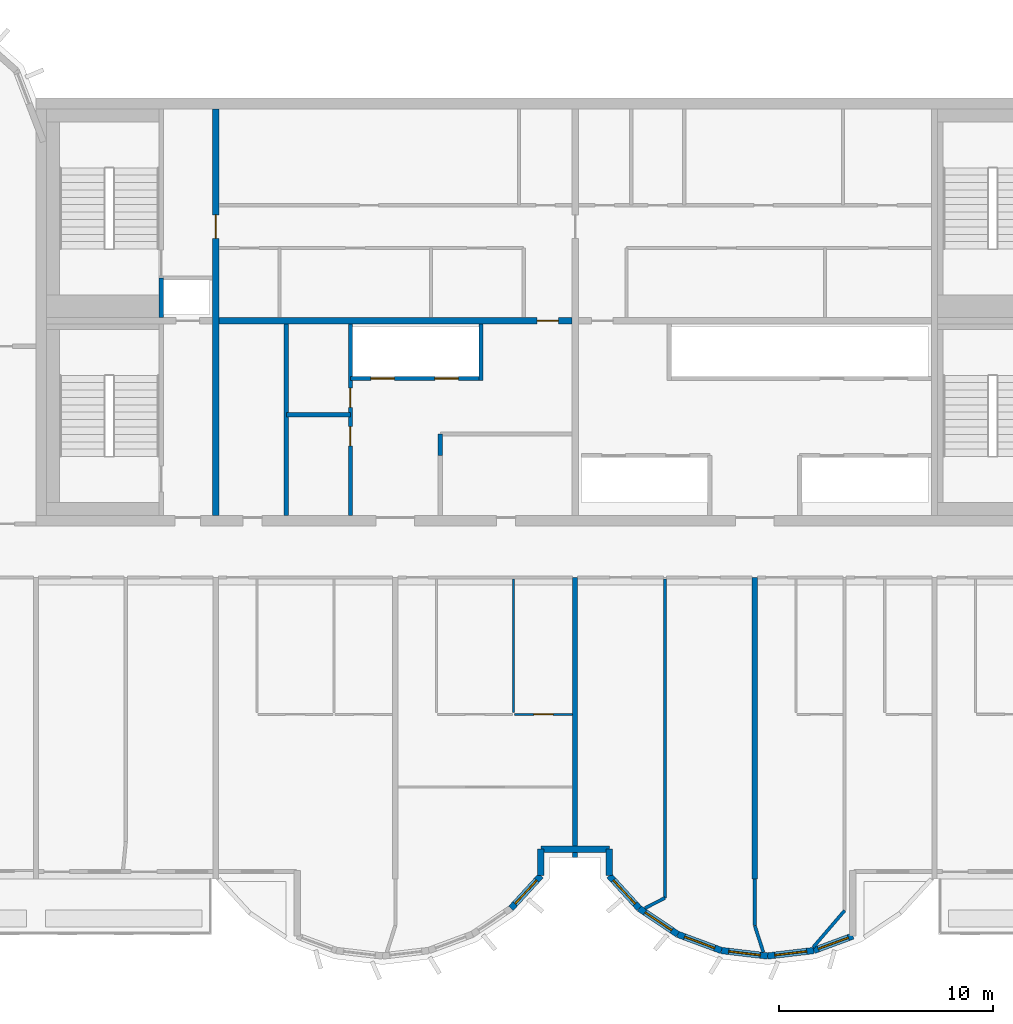
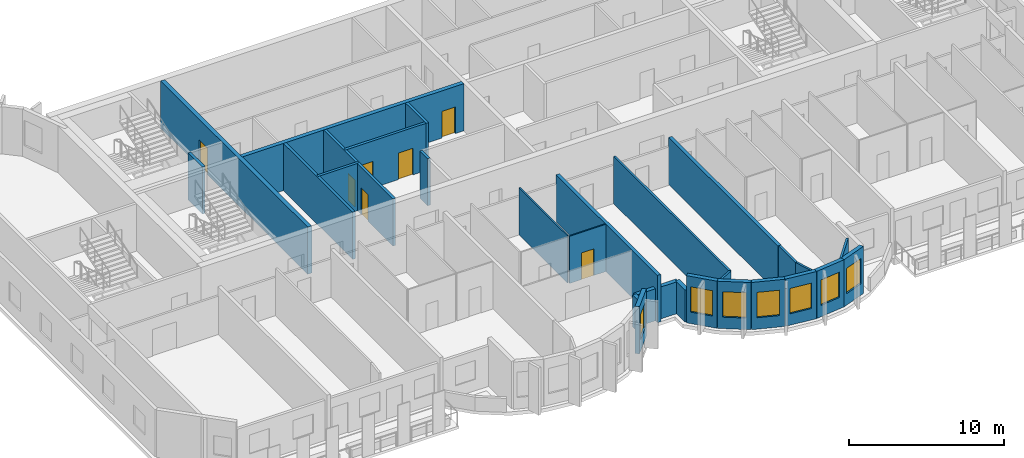
# One storey, part 4 of 12: 28 walls, 7 doors, 7 windows, 14 openings.
"""IFC4 building model written with IfcOpenShell, lengths in metres."""

import ifcopenshell
import ifcopenshell.guid

model = None  # the IFC model being written
_history = None  # IfcOwnerHistory: only IFC2X3 demands one
_inside = {}  # id of a spatial element -> (the spatial element, [elements in it])
_under = {}  # id of a project, library or spatial element -> (it, [spatial elements below it])
_declared = {}  # id of a project -> (the project, [libraries it declares])
_typed = {}  # id of a type object -> (the type object, [elements of that type])
_made_of = {}  # id of a material, layer set ... -> (it, [elements and type objects made of it])


def new_model(schema):
    """Start an empty IFC model of exactly this schema.

    Asked for "IFC4X3", IfcOpenShell would pick the latest addendum, in which some entities
    have other attributes; the version numbers below select the first issue.
    IFC2X3 requires an IfcOwnerHistory on every rooted entity: one is made here for all.
    """
    global model, _history
    if schema == "IFC4X3":
        model = ifcopenshell.file(schema_version=(4, 3, 0, 0))
    else:
        model = ifcopenshell.file(schema=schema)
    _inside.clear()
    _under.clear()
    _declared.clear()
    _typed.clear()
    _made_of.clear()
    _history = None
    if model.schema == "IFC2X3":
        org = make("IfcOrganization", Name="unknown")
        user = make(
            "IfcPersonAndOrganization",
            ThePerson=make("IfcPerson", FamilyName="unknown"),
            TheOrganization=org,
        )
        app = make(
            "IfcApplication",
            ApplicationDeveloper=org,
            Version="unknown",
            ApplicationFullName="unknown",
            ApplicationIdentifier="unknown",
        )
        _history = make(
            "IfcOwnerHistory",
            OwningUser=user,
            OwningApplication=app,
            ChangeAction="ADDED",
            CreationDate=0,
        )
    return model


def make(cls, **values):
    """One entity of the class cls with the attributes given. An attribute that is None is left unset."""
    return model.create_entity(
        cls, **{name: value for name, value in values.items() if value is not None}
    )


def rooted(cls, **values):
    """An entity with a GlobalId (a new one), such as an element, a storey or a relation."""
    return make(cls, GlobalId=ifcopenshell.guid.new(), OwnerHistory=_history, **values)


def si_unit(unit_type, name, prefix=None):
    """IfcSIUnit, for example si_unit("LENGTHUNIT", "METRE", prefix="MILLI")."""
    return make("IfcSIUnit", UnitType=unit_type, Prefix=prefix, Name=name)


def assignment(units):
    """IfcUnitAssignment: the units of a project."""
    return None if units is None else make("IfcUnitAssignment", Units=units)


def point(xyz):
    """IfcCartesianPoint."""
    return None if xyz is None else make("IfcCartesianPoint", Coordinates=xyz)


def direction(xyz):
    """IfcDirection."""
    return None if xyz is None else make("IfcDirection", DirectionRatios=xyz)


def frame(location, z_axis=None, x_axis=None):
    """IfcAxis2Placement3D, a coordinate frame: its origin and axes. An axis left out is left unset."""
    return make(
        "IfcAxis2Placement3D",
        Location=point(location),
        Axis=direction(z_axis),
        RefDirection=direction(x_axis),
    )


def frame_2d(location, x_axis=None):
    """IfcAxis2Placement2D, a coordinate frame in the plane: its origin and x axis."""
    return make(
        "IfcAxis2Placement2D", Location=point(location), RefDirection=direction(x_axis)
    )


def origin():
    """The frame at (0, 0, 0) with its axes left unset."""
    return frame((0.0, 0.0, 0.0))


def place(relative_to, where):
    """IfcLocalPlacement: puts the frame where relative to a parent placement (None: the world)."""
    return make(
        "IfcLocalPlacement", PlacementRelTo=relative_to, RelativePlacement=where
    )


def context(
    kind, dimensions, precision=None, world=None, true_north=None, identifier=None
):
    """IfcGeometricRepresentationContext, for example the 3D "Model" context."""
    return make(
        "IfcGeometricRepresentationContext",
        ContextIdentifier=identifier,
        ContextType=kind,
        CoordinateSpaceDimension=dimensions,
        Precision=precision,
        WorldCoordinateSystem=world,
        TrueNorth=true_north,
    )


def subcontext(parent, identifier, kind, view, scale=None):
    """IfcGeometricRepresentationSubContext, for example "Body" below "Model"."""
    return make(
        "IfcGeometricRepresentationSubContext",
        ContextIdentifier=identifier,
        ContextType=kind,
        ParentContext=parent,
        TargetScale=scale,
        TargetView=view,
    )


def project(units=None, contexts=None):
    """IfcProject with its units and contexts."""
    return rooted(
        "IfcProject",
        Name="project",
        RepresentationContexts=contexts,
        UnitsInContext=assignment(units),
    )


def spatial(cls, under=None, at=None, **own):
    """A site, building, storey or space (cls), placed at a placement, below another one or the project."""
    s = rooted(cls, ObjectPlacement=at, **own)
    if under is not None:
        _under.setdefault(under.id(), (under, []))[1].append(s)
    return s


def profile(cls, at=None, kind="AREA", **sizes):
    """A parametric profile (cls). Its sizes go by their IFC names, for example OverallWidth=200.0."""
    return make(cls, ProfileType=kind, Position=at, **sizes)


def rectangle(**sizes):
    """IfcRectangleProfileDef."""
    return profile("IfcRectangleProfileDef", **sizes)


def extrude(swept, where, along, depth):
    """IfcExtrudedAreaSolid: the profile swept, set in the frame where, extruded along a direction by depth."""
    return make(
        "IfcExtrudedAreaSolid",
        SweptArea=swept,
        Position=where,
        ExtrudedDirection=direction(along),
        Depth=depth,
    )


def shape(context_of_items, identifier, shape_type, items):
    """IfcShapeRepresentation: the items that make up one representation, for example the "Body"."""
    return make(
        "IfcShapeRepresentation",
        ContextOfItems=context_of_items,
        RepresentationIdentifier=identifier,
        RepresentationType=shape_type,
        Items=items,
    )


def source(mapping_origin, context_of_items, identifier, shape_type, items):
    """IfcRepresentationMap: a shape defined once, which mapped items show again and again."""
    return make(
        "IfcRepresentationMap",
        MappingOrigin=mapping_origin,
        MappedRepresentation=shape(context_of_items, identifier, shape_type, items),
    )


def transform(
    local_origin,
    x_axis=None,
    y_axis=None,
    z_axis=None,
    scale=None,
    scale2=None,
    scale3=None,
    uniform=True,
):
    """IfcCartesianTransformationOperator3D, or its non-uniform kind. x_axis, y_axis, z_axis: its Axis1, 2, 3."""
    if uniform:
        return make(
            "IfcCartesianTransformationOperator3D",
            Axis1=direction(x_axis),
            Axis2=direction(y_axis),
            LocalOrigin=point(local_origin),
            Scale=scale,
            Axis3=direction(z_axis),
        )
    return make(
        "IfcCartesianTransformationOperator3DnonUniform",
        Axis1=direction(x_axis),
        Axis2=direction(y_axis),
        LocalOrigin=point(local_origin),
        Scale=scale,
        Axis3=direction(z_axis),
        Scale2=scale2,
        Scale3=scale3,
    )


def mapped(mapping_source, mapping_target):
    """IfcMappedItem: shows the shape of a source again, moved by a transform."""
    return make(
        "IfcMappedItem", MappingSource=mapping_source, MappingTarget=mapping_target
    )


def material(Name=None, Category=None):
    """IfcMaterial."""
    return make("IfcMaterial", Name=Name, Category=Category)


def layer(
    of_material, thickness, ventilated=None, Name=None, Category=None, Priority=None
):
    """IfcMaterialLayer: one layer of a wall or slab, of a material (None: an air gap)."""
    return make(
        "IfcMaterialLayer",
        Material=of_material,
        LayerThickness=thickness,
        IsVentilated=ventilated,
        Name=Name,
        Category=Category,
        Priority=Priority,
    )


def layer_set(layers, Name=None):
    """IfcMaterialLayerSet."""
    return make("IfcMaterialLayerSet", MaterialLayers=layers, LayerSetName=Name)


def made_of(thing, what):
    """Note that an element or type object is made of a material, layer set ...; save() writes the relation."""
    if what is not None:
        _made_of.setdefault(what.id(), (what, []))[1].append(thing)
    return thing


def type_object(cls, material=None, **own):
    """A type object (cls), such as IfcWallType, which elements share."""
    return made_of(rooted(cls, **own), material)


def element(
    cls,
    number,
    at=None,
    inside=None,
    cuts=None,
    type_object=None,
    material=None,
    context=None,
    identifier="Body",
    shape_type=None,
    held_by="IfcProductDefinitionShape",
    body=None,
    shapes=None,
    **own,
):
    """One element of the class cls, such as IfcWall. Its Tag is "e" and its number.

    at: its placement. inside: the storey or other place that contains it. cuts: it is an
    opening in that element (IfcRelVoidsElement). A single representation is given by context,
    identifier, shape_type and body (its items); several are given by shapes. held_by: the class
    of the entity that holds the representations. save() writes the other relations.
    """
    e = rooted(cls, Tag="e%d" % number, ObjectPlacement=at, **own)
    if body is not None:
        shapes = [shape(context, identifier, shape_type, body)]
    if shapes is not None:
        e.Representation = make(held_by, Representations=shapes)
    if inside is not None:
        _inside.setdefault(inside.id(), (inside, []))[1].append(e)
    if cuts is not None:
        rooted(
            "IfcRelVoidsElement", RelatingBuildingElement=cuts, RelatedOpeningElement=e
        )
    if type_object is not None:
        _typed.setdefault(type_object.id(), (type_object, []))[1].append(e)
    return made_of(e, material)


def fill(opening, filler):
    """IfcRelFillsElement: the door or window that sits in an opening."""
    return rooted(
        "IfcRelFillsElement",
        RelatingOpeningElement=opening,
        RelatedBuildingElement=filler,
    )


def aggregate(whole, parts):
    """IfcRelAggregates: a whole, such as a stair, and the parts it consists of."""
    return rooted("IfcRelAggregates", RelatingObject=whole, RelatedObjects=parts)


def save(model, path):
    """Write the relations noted so far, then the file.

    IfcRelAggregates (storeys below a building ...), IfcRelContainedInSpatialStructure (elements
    in a storey), IfcRelDefinesByType, IfcRelAssociatesMaterial and IfcRelDeclares: one each for
    every whole, place, type object, material and project.
    """
    for whole, parts in _under.values():
        aggregate(whole, parts)
    for where, things in _inside.values():
        rooted(
            "IfcRelContainedInSpatialStructure",
            RelatedElements=things,
            RelatingStructure=where,
        )
    for kind, things in _typed.values():
        rooted("IfcRelDefinesByType", RelatedObjects=things, RelatingType=kind)
    for what, things in _made_of.values():
        rooted("IfcRelAssociatesMaterial", RelatedObjects=things, RelatingMaterial=what)
    for by, libraries in _declared.values():
        rooted("IfcRelDeclares", RelatingContext=by, RelatedDefinitions=libraries)
    model.write(path)


model = new_model("IFC4")

# Units and contexts
model_context = context("Model", 3, precision=1e-05, world=origin(), true_north=direction((0.0, 1.0)))
body_context = subcontext(model_context, "Body", "Model", "MODEL_VIEW")
ifc_project = project(units=[si_unit("LENGTHUNIT", "METRE"), si_unit("AREAUNIT", "SQUARE_METRE"), si_unit("VOLUMEUNIT", "CUBIC_METRE"), si_unit("PLANEANGLEUNIT", "RADIAN"), si_unit("MASSUNIT", "GRAM", prefix="KILO")], contexts=[model_context])

# Site, building, storey
site_placement = place(None, origin())
site = spatial("IfcSite", under=ifc_project, at=site_placement, CompositionType="ELEMENT")
building_placement = place(site_placement, origin())
building = spatial("IfcBuilding", under=site, at=building_placement, Name="Vanashikhar Sky Hotel", CompositionType="ELEMENT")
storey_placement = place(building_placement, frame((0.0, 0.0, 313.699951171875)))
storey = spatial("IfcBuildingStorey", under=building, at=storey_placement, Name="L75", CompositionType="ELEMENT", Elevation=313.699951171875)

# Wall, opening, door
ifc_material_1 = material(Name="Concrete M50", Category="concrete")
ifc_layer_1 = layer(ifc_material_1, 0.300048828125)
ifc_layer_set_1 = layer_set([ifc_layer_1], Name="RC core inner wall 300 Concrete M50")
wall_type_1 = type_object("IfcWallType", Name="RC core inner wall 300 Concrete M50", PredefinedType="SHEAR", material=ifc_layer_set_1)
shared_shape_1 = source(origin(), body_context, "Body", "SweptSolid", [
    extrude(rectangle(XDim=19.0, YDim=0.300048828125, at=frame_2d((9.5, 0.0))), origin(), (0.0, 0.0, 1.0), 3.719970703125),
])
wall_1_placement = place(storey_placement, frame((33.60009765625, 22.5, 0.0), z_axis=(0.0, 0.0, 1.0), x_axis=(0.0, 1.0, 0.0)))
wall_1 = element("IfcWall", 1, at=wall_1_placement, inside=storey, type_object=wall_type_1, Name="KW-L75-KX1", PredefinedType="SHEAR", context=body_context, shape_type="MappedRepresentation", body=[
    mapped(shared_shape_1, transform((0.0, 0.0, 0.0), scale=1.0)),
])
shared_shape_2 = source(origin(), body_context, "Body", "SweptSolid", [
    extrude(rectangle(XDim=1.10009765625, YDim=2.10009765625, at=frame_2d((0.550048828125, 1.050048828125))), frame((0.0, 0.16015625, 0.0), z_axis=(0.0, -1.0, 0.0), x_axis=(1.0, 0.0, 0.0)), (0.0, 0.0, 1.0), 0.320068359375),
])
opening_1_placement = place(wall_1_placement, frame((12.949951171875, 0.0, 0.0)))
opening_1 = element("IfcOpeningElement", 2, at=opening_1_placement, cuts=wall_1, Name="Opening DC-4-C", PredefinedType="OPENING", context=body_context, shape_type="MappedRepresentation", body=[
    mapped(shared_shape_2, transform((0.0, 0.0, 0.0), scale=1.0)),
])
ifc_material_2 = material(Name="Steel", Category="steel")
door_type_1 = type_object("IfcDoorType", Name="Service door 1100 FD60", OperationType="NOTDEFINED", PredefinedType="DOOR", material=ifc_material_2)
shared_shape_3 = source(origin(), body_context, "Body", "SweptSolid", [
    extrude(rectangle(XDim=1.10009765625, YDim=2.10009765625, at=frame_2d((0.550048828125, 1.050048828125))), frame((0.0, 0.02490234375, 0.0), z_axis=(0.0, -1.0, 0.0), x_axis=(1.0, 0.0, 0.0)), (0.0, 0.0, 1.0), 0.050048828125),
])
door_1_placement = place(opening_1_placement, origin())
door_1 = element("IfcDoor", 3, at=door_1_placement, inside=storey, type_object=door_type_1, Name="Service door 1100 FD60", OperationType="SINGLE_SWING_LEFT", OverallHeight=2.10009765625, OverallWidth=1.10009765625, PredefinedType="DOOR", context=body_context, shape_type="MappedRepresentation", body=[
    mapped(shared_shape_3, transform((0.0, 0.0, 0.0), scale=1.0)),
])
fill(opening_1, door_1)

shared_shape_4 = source(origin(), body_context, "Body", "SweptSolid", [
    extrude(rectangle(XDim=16.5, YDim=0.300048828125, at=frame_2d((8.25, 0.0))), origin(), (0.0, 0.0, 1.0), 3.719970703125),
])
wall_2_placement = place(storey_placement, frame((33.75, 31.60009765625, 0.0), z_axis=(0.0, 0.0, 1.0), x_axis=(1.0, 0.0, 0.0)))
wall_2 = element("IfcWall", 4, at=wall_2_placement, inside=storey, type_object=wall_type_1, Name="KW-L75-KY2", PredefinedType="SHEAR", context=body_context, shape_type="MappedRepresentation", body=[
    mapped(shared_shape_4, transform((0.0, 0.0, 0.0), scale=1.0)),
])
shared_shape_5 = source(origin(), body_context, "Body", "SweptSolid", [
    extrude(rectangle(XDim=1.0, YDim=2.10009765625, at=frame_2d((0.5, 1.050048828125))), frame((0.0, 0.16015625, 0.0), z_axis=(0.0, -1.0, 0.0), x_axis=(1.0, 0.0, 0.0)), (0.0, 0.0, 1.0), 0.320068359375),
])
opening_2_placement = place(wall_2_placement, frame((14.875, 0.0, 0.0)))
opening_2 = element("IfcOpeningElement", 5, at=opening_2_placement, cuts=wall_2, Name="Opening DC-4", PredefinedType="OPENING", context=body_context, shape_type="MappedRepresentation", body=[
    mapped(shared_shape_5, transform((0.0, 0.0, 0.0), scale=1.0)),
])
door_type_2 = type_object("IfcDoorType", Name="Service door 1000 FD60", OperationType="NOTDEFINED", PredefinedType="DOOR", material=ifc_material_2)
shared_shape_6 = source(origin(), body_context, "Body", "SweptSolid", [
    extrude(rectangle(XDim=1.0, YDim=2.10009765625, at=frame_2d((0.5, 1.050048828125))), frame((0.0, 0.02490234375, 0.0), z_axis=(0.0, -1.0, 0.0), x_axis=(1.0, 0.0, 0.0)), (0.0, 0.0, 1.0), 0.050048828125),
])
door_2_placement = place(opening_2_placement, origin())
door_2 = element("IfcDoor", 6, at=door_2_placement, inside=storey, type_object=door_type_2, Name="Service door 1000 FD60", OperationType="SINGLE_SWING_LEFT", OverallHeight=2.10009765625, OverallWidth=1.0, PredefinedType="DOOR", context=body_context, shape_type="MappedRepresentation", body=[
    mapped(shared_shape_6, transform((0.0, 0.0, 0.0), scale=1.0)),
])
fill(opening_2, door_2)

# Walls
ifc_layer_2 = layer(ifc_material_1, 0.25)
ifc_layer_set_2 = layer_set([ifc_layer_2], Name="RC shear wall 250 Concrete M50")
wall_type_2 = type_object("IfcWallType", Name="RC shear wall 250 Concrete M50", PredefinedType="SHEAR", material=ifc_layer_set_2)
shared_shape_7 = source(origin(), body_context, "Body", "SweptSolid", [
    extrude(rectangle(XDim=14.10009765625, YDim=0.25, at=frame_2d((7.050048828125, 0.0))), origin(), (0.0, 0.0, 1.0), 3.719970703125),
])
wall_3_placement = place(storey_placement, frame((58.800048828125, 5.5, 0.0), z_axis=(0.0, 0.0, 1.0), x_axis=(0.0, 1.0, 0.0)))
element("IfcWall", 7, at=wall_3_placement, inside=storey, type_object=wall_type_2, Name="CW-L75-XW08-1", PredefinedType="SHEAR", context=body_context, shape_type="MappedRepresentation", body=[
    mapped(shared_shape_7, transform((0.0, 0.0, 0.0), scale=1.0)),
])
shared_shape_8 = source(origin(), body_context, "Body", "SweptSolid", [
    extrude(rectangle(XDim=13.10009765625, YDim=0.25, at=frame_2d((6.550048828125, 0.0))), origin(), (0.0, 0.0, 1.0), 3.719970703125),
])
wall_4_placement = place(storey_placement, frame((50.39990234375, 6.5, 0.0), z_axis=(0.0, 0.0, 1.0), x_axis=(0.0, 1.0, 0.0)))
element("IfcWall", 8, at=wall_4_placement, inside=storey, type_object=wall_type_2, Name="CW-L75-XW07-1", PredefinedType="SHEAR", context=body_context, shape_type="MappedRepresentation", body=[
    mapped(shared_shape_8, transform((0.0, 0.0, 0.0), scale=1.0)),
])

# Wall, opening, window
ifc_layer_3 = layer(ifc_material_1, 0.300048828125)
ifc_layer_set_3 = layer_set([ifc_layer_3], Name="Lobe wall 300")
wall_type_3 = type_object("IfcWallType", Name="Lobe wall 300", PredefinedType="SOLIDWALL", material=ifc_layer_set_3)
shared_shape_9 = source(origin(), body_context, "Body", "SweptSolid", [
    extrude(rectangle(XDim=2.17578125, YDim=0.300048828125, at=frame_2d((1.087890625, 0.0))), origin(), (0.0, 0.0, 1.0), 3.719970703125),
])
wall_5_placement = place(storey_placement, frame((53.395751953125, 4.13134765625, 0.0), z_axis=(0.0, 0.0, 1.0), x_axis=(0.829590746428, -0.558371913192, 0.0)))
wall_5 = element("IfcWall", 9, at=wall_5_placement, inside=storey, type_object=wall_type_3, Name="Lobe wall", PredefinedType="SOLIDWALL", context=body_context, shape_type="MappedRepresentation", body=[
    mapped(shared_shape_9, transform((0.0, 0.0, 0.0), scale=1.0)),
])
shared_shape_10 = source(origin(), body_context, "Body", "SweptSolid", [
    extrude(rectangle(XDim=1.5, YDim=2.0, at=frame_2d((0.75, 1.0))), frame((0.0, 0.16015625, 0.0), z_axis=(0.0, -1.0, 0.0), x_axis=(1.0, 0.0, 0.0)), (0.0, 0.0, 1.0), 0.320068359375),
])
opening_3_placement = place(wall_5_placement, frame((0.337890625, 0.0, 0.89990234375)))
opening_3 = element("IfcOpeningElement", 10, at=opening_3_placement, cuts=wall_5, Name="Opening WN-2", PredefinedType="OPENING", context=body_context, shape_type="MappedRepresentation", body=[
    mapped(shared_shape_10, transform((0.0, 0.0, 0.0), scale=1.0)),
])
ifc_material_3 = material(Name="Glass", Category="glass")
window_type = type_object("IfcWindowType", Name="Lobe window 1500 x 2000", PartitioningType="SINGLE_PANEL", PredefinedType="WINDOW", material=ifc_material_3)
shared_shape_11 = source(origin(), body_context, "Body", "SweptSolid", [
    extrude(rectangle(XDim=1.5, YDim=2.0, at=frame_2d((0.75, 1.0))), frame((0.0, 0.030029296875, 0.0), z_axis=(0.0, -1.0, 0.0), x_axis=(1.0, 0.0, 0.0)), (0.0, 0.0, 1.0), 0.06005859375),
])
window_1_placement = place(opening_3_placement, origin())
window_1 = element("IfcWindow", 11, at=window_1_placement, inside=storey, type_object=window_type, Name="Window WN-2", OverallHeight=2.0, OverallWidth=1.5, PartitioningType="SINGLE_PANEL", PredefinedType="WINDOW", context=body_context, shape_type="MappedRepresentation", body=[
    mapped(shared_shape_11, transform((0.0, 0.0, 0.0), scale=1.0)),
])
fill(opening_3, window_1)

wall_6_placement = place(storey_placement, frame((55.20068359375, 2.91650390625, 0.0), z_axis=(0.0, 0.0, 1.0), x_axis=(0.93754555999, -0.347862505801, 0.0)))
wall_6 = element("IfcWall", 12, at=wall_6_placement, inside=storey, type_object=wall_type_3, Name="Lobe wall", PredefinedType="SOLIDWALL", context=body_context, shape_type="MappedRepresentation", body=[
    mapped(shared_shape_9, transform((0.0, 0.0, 0.0), scale=1.0)),
])
opening_4_placement = place(wall_6_placement, frame((0.337890625, 0.0, 0.89990234375)))
opening_4 = element("IfcOpeningElement", 13, at=opening_4_placement, cuts=wall_6, Name="Opening WN-2", PredefinedType="OPENING", context=body_context, shape_type="MappedRepresentation", body=[
    mapped(shared_shape_10, transform((0.0, 0.0, 0.0), scale=1.0)),
])
window_2_placement = place(opening_4_placement, origin())
window_2 = element("IfcWindow", 14, at=window_2_placement, inside=storey, type_object=window_type, Name="Window WN-2", OverallHeight=2.0, OverallWidth=1.5, PartitioningType="SINGLE_PANEL", PredefinedType="WINDOW", context=body_context, shape_type="MappedRepresentation", body=[
    mapped(shared_shape_11, transform((0.0, 0.0, 0.0), scale=1.0)),
])
fill(opening_4, window_2)

shared_shape_12 = source(origin(), body_context, "Body", "SweptSolid", [
    extrude(rectangle(XDim=2.174560546875, YDim=0.300048828125, at=frame_2d((1.08740234375, 0.0))), origin(), (0.0, 0.0, 1.0), 3.719970703125),
])
wall_7_placement = place(storey_placement, frame((57.240478515625, 2.15966796875, 0.0), z_axis=(0.0, 0.0, 1.0), x_axis=(0.993001132889, -0.118104826659, 0.0)))
wall_7 = element("IfcWall", 15, at=wall_7_placement, inside=storey, type_object=wall_type_3, Name="Lobe wall", PredefinedType="SOLIDWALL", context=body_context, shape_type="MappedRepresentation", body=[
    mapped(shared_shape_12, transform((0.0, 0.0, 0.0), scale=1.0)),
])
opening_5_placement = place(wall_7_placement, frame((0.33740234375, 0.0, 0.89990234375)))
opening_5 = element("IfcOpeningElement", 16, at=opening_5_placement, cuts=wall_7, Name="Opening WN-2", PredefinedType="OPENING", context=body_context, shape_type="MappedRepresentation", body=[
    mapped(shared_shape_10, transform((0.0, 0.0, 0.0), scale=1.0)),
])
window_3_placement = place(opening_5_placement, origin())
window_3 = element("IfcWindow", 17, at=window_3_placement, inside=storey, type_object=window_type, Name="Window WN-2", OverallHeight=2.0, OverallWidth=1.5, PartitioningType="SINGLE_PANEL", PredefinedType="WINDOW", context=body_context, shape_type="MappedRepresentation", body=[
    mapped(shared_shape_11, transform((0.0, 0.0, 0.0), scale=1.0)),
])
fill(opening_5, window_3)

shared_shape_13 = source(origin(), body_context, "Body", "SweptSolid", [
    extrude(rectangle(XDim=2.1748046875, YDim=0.300048828125, at=frame_2d((1.08740234375, 0.0))), origin(), (0.0, 0.0, 1.0), 3.719970703125),
])
wall_8_placement = place(storey_placement, frame((59.39990234375, 1.90283203125, 0.0), z_axis=(0.0, 0.0, 1.0), x_axis=(0.993002698611, 0.118091661648, 0.0)))
wall_8 = element("IfcWall", 18, at=wall_8_placement, inside=storey, type_object=wall_type_3, Name="Lobe wall", PredefinedType="SOLIDWALL", context=body_context, shape_type="MappedRepresentation", body=[
    mapped(shared_shape_13, transform((0.0, 0.0, 0.0), scale=1.0)),
])
opening_6_placement = place(wall_8_placement, frame((0.33740234375, 0.0, 0.89990234375)))
opening_6 = element("IfcOpeningElement", 19, at=opening_6_placement, cuts=wall_8, Name="Opening WN-2", PredefinedType="OPENING", context=body_context, shape_type="MappedRepresentation", body=[
    mapped(shared_shape_10, transform((0.0, 0.0, 0.0), scale=1.0)),
])
window_4_placement = place(opening_6_placement, origin())
window_4 = element("IfcWindow", 20, at=window_4_placement, inside=storey, type_object=window_type, Name="Window WN-2", OverallHeight=2.0, OverallWidth=1.5, PartitioningType="SINGLE_PANEL", PredefinedType="WINDOW", context=body_context, shape_type="MappedRepresentation", body=[
    mapped(shared_shape_11, transform((0.0, 0.0, 0.0), scale=1.0)),
])
fill(opening_6, window_4)

shared_shape_14 = source(origin(), body_context, "Body", "SweptSolid", [
    extrude(rectangle(XDim=2.066650390625, YDim=0.300048828125, at=frame_2d((1.033203125, 0.0))), origin(), (0.0, 0.0, 1.0), 3.719970703125),
])
wall_9_placement = place(storey_placement, frame((47.404296875, 4.13134765625, 0.0), z_axis=(0.0, 0.0, 1.0), x_axis=(0.675355439877, 0.737492393065, 0.0)))
wall_9 = element("IfcWall", 21, at=wall_9_placement, inside=storey, type_object=wall_type_3, Name="Lobe wall", PredefinedType="SOLIDWALL", context=body_context, shape_type="MappedRepresentation", body=[
    mapped(shared_shape_14, transform((0.0, 0.0, 0.0), scale=1.0)),
])
opening_7_placement = place(wall_9_placement, frame((0.283447265625, 0.0, 0.89990234375)))
opening_7 = element("IfcOpeningElement", 22, at=opening_7_placement, cuts=wall_9, Name="Opening WN-2", PredefinedType="OPENING", context=body_context, shape_type="MappedRepresentation", body=[
    mapped(shared_shape_10, transform((0.0, 0.0, 0.0), scale=1.0)),
])
window_5_placement = place(opening_7_placement, origin())
window_5 = element("IfcWindow", 23, at=window_5_placement, inside=storey, type_object=window_type, Name="Window WN-2", OverallHeight=2.0, OverallWidth=1.5, PartitioningType="SINGLE_PANEL", PredefinedType="WINDOW", context=body_context, shape_type="MappedRepresentation", body=[
    mapped(shared_shape_11, transform((0.0, 0.0, 0.0), scale=1.0)),
])
fill(opening_7, window_5)

wall_10_placement = place(storey_placement, frame((52.0, 5.655517578125, 0.0), z_axis=(0.0, 0.0, 1.0), x_axis=(0.675355439877, -0.737492393065, 0.0)))
wall_10 = element("IfcWall", 24, at=wall_10_placement, inside=storey, type_object=wall_type_3, Name="Lobe wall", PredefinedType="SOLIDWALL", context=body_context, shape_type="MappedRepresentation", body=[
    mapped(shared_shape_14, transform((0.0, 0.0, 0.0), scale=1.0)),
])
opening_8_placement = place(wall_10_placement, frame((0.283447265625, 0.0, 0.89990234375)))
opening_8 = element("IfcOpeningElement", 25, at=opening_8_placement, cuts=wall_10, Name="Opening WN-2", PredefinedType="OPENING", context=body_context, shape_type="MappedRepresentation", body=[
    mapped(shared_shape_10, transform((0.0, 0.0, 0.0), scale=1.0)),
])
window_6_placement = place(opening_8_placement, origin())
window_6 = element("IfcWindow", 26, at=window_6_placement, inside=storey, type_object=window_type, Name="Window WN-2", OverallHeight=2.0, OverallWidth=1.5, PartitioningType="SINGLE_PANEL", PredefinedType="WINDOW", context=body_context, shape_type="MappedRepresentation", body=[
    mapped(shared_shape_11, transform((0.0, 0.0, 0.0), scale=1.0)),
])
fill(opening_8, window_6)

shared_shape_15 = source(origin(), body_context, "Body", "SweptSolid", [
    extrude(rectangle(XDim=1.94482421875, YDim=0.300048828125, at=frame_2d((0.972412109375, 0.0))), origin(), (0.0, 0.0, 1.0), 3.719970703125),
])
wall_11_placement = place(storey_placement, frame((61.5595703125, 2.15966796875, 0.0), z_axis=(0.0, 0.0, 1.0), x_axis=(0.937556314853, 0.347833518337, 0.0)))
wall_11 = element("IfcWall", 27, at=wall_11_placement, inside=storey, type_object=wall_type_3, Name="Lobe wall", PredefinedType="SOLIDWALL", context=body_context, shape_type="MappedRepresentation", body=[
    mapped(shared_shape_15, transform((0.0, 0.0, 0.0), scale=1.0)),
])
opening_9_placement = place(wall_11_placement, frame((0.222412109375, 0.0, 0.89990234375)))
opening_9 = element("IfcOpeningElement", 28, at=opening_9_placement, cuts=wall_11, Name="Opening WN-2", PredefinedType="OPENING", context=body_context, shape_type="MappedRepresentation", body=[
    mapped(shared_shape_10, transform((0.0, 0.0, 0.0), scale=1.0)),
])
window_7_placement = place(opening_9_placement, origin())
window_7 = element("IfcWindow", 29, at=window_7_placement, inside=storey, type_object=window_type, Name="Window WN-2", OverallHeight=2.0, OverallWidth=1.5, PartitioningType="SINGLE_PANEL", PredefinedType="WINDOW", context=body_context, shape_type="MappedRepresentation", body=[
    mapped(shared_shape_11, transform((0.0, 0.0, 0.0), scale=1.0)),
])
fill(opening_9, window_7)

# Walls
shared_shape_16 = source(origin(), body_context, "Body", "SweptSolid", [
    extrude(rectangle(XDim=1.244384765625, YDim=0.300048828125, at=frame_2d((0.6220703125, 0.0))), origin(), (0.0, 0.0, 1.0), 2.52001953125),
])
for number, where, z_axis, x_axis, name in (
    (30, (48.800048828125, 5.655517578125, 0.0), (0.0, 0.0, 1.0), (0.0, 1.0, 0.0), "Groove wall"),
    (31, (52.0, 6.89990234375, 0.0), (0.0, 0.0, 1.0), (0.0, -1.0, 0.0), "Groove wall"),
):
    element("IfcWall", number, at=place(storey_placement, frame(where, z_axis=z_axis, x_axis=x_axis)), inside=storey, type_object=wall_type_3, Name=name, PredefinedType="SOLIDWALL", context=body_context, shape_type="MappedRepresentation", body=[
        mapped(shared_shape_16, transform((0.0, 0.0, 0.0), scale=1.0)),
    ])
shared_shape_17 = source(origin(), body_context, "Body", "SweptSolid", [
    extrude(rectangle(XDim=3.199951171875, YDim=0.300048828125, at=frame_2d((1.60009765625, 0.0))), origin(), (0.0, 0.0, 1.0), 2.52001953125),
])
wall_12_placement = place(storey_placement, frame((48.800048828125, 6.89990234375, 0.0), z_axis=(0.0, 0.0, 1.0), x_axis=(1.0, 0.0, 0.0)))
element("IfcWall", 32, at=wall_12_placement, inside=storey, type_object=wall_type_3, Name="Groove wall", PredefinedType="SOLIDWALL", context=body_context, shape_type="MappedRepresentation", body=[
    mapped(shared_shape_17, transform((0.0, 0.0, 0.0), scale=1.0)),
])

# Wall, openings, doors
ifc_material_4 = material(Name="Concrete M40", Category="concrete")
ifc_layer_4 = layer(ifc_material_4, 0.199951171875)
ifc_layer_set_4 = layer_set([ifc_layer_4], Name="Shaft wall 200")
wall_type_4 = type_object("IfcWallType", Name="Shaft wall 200", PredefinedType="SOLIDWALL", material=ifc_layer_set_4)
shared_shape_18 = source(origin(), body_context, "Body", "SweptSolid", [
    extrude(rectangle(XDim=6.0, YDim=0.199951171875, at=frame_2d((3.0, 0.0))), origin(), (0.0, 0.0, 1.0), 3.719970703125),
])
wall_13_placement = place(storey_placement, frame((39.89990234375, 28.89990234375, 0.0), z_axis=(0.0, 0.0, 1.0), x_axis=(1.0, 0.0, 0.0)))
wall_13 = element("IfcWall", 33, at=wall_13_placement, inside=storey, type_object=wall_type_4, Name="Shaft wall 200", PredefinedType="SOLIDWALL", context=body_context, shape_type="MappedRepresentation", body=[
    mapped(shared_shape_18, transform((0.0, 0.0, 0.0), scale=1.0)),
])
shared_shape_19 = source(origin(), body_context, "Body", "SweptSolid", [
    extrude(rectangle(XDim=1.10009765625, YDim=2.10009765625, at=frame_2d((0.550048828125, 1.050048828125))), frame((0.0, 0.10986328125, 0.0), z_axis=(0.0, -1.0, 0.0), x_axis=(1.0, 0.0, 0.0)), (0.0, 0.0, 1.0), 0.219970703125),
])
opening_10_placement = place(wall_13_placement, frame((0.949951171875, 0.0, 0.0)))
opening_10 = element("IfcOpeningElement", 34, at=opening_10_placement, cuts=wall_13, Name="Opening LD", PredefinedType="OPENING", context=body_context, shape_type="MappedRepresentation", body=[
    mapped(shared_shape_19, transform((0.0, 0.0, 0.0), scale=1.0)),
])
opening_11_placement = place(wall_13_placement, frame((3.949951171875, 0.0, 0.0)))
opening_11 = element("IfcOpeningElement", 35, at=opening_11_placement, cuts=wall_13, Name="Opening LD", PredefinedType="OPENING", context=body_context, shape_type="MappedRepresentation", body=[
    mapped(shared_shape_19, transform((0.0, 0.0, 0.0), scale=1.0)),
])
ifc_material_5 = material(Name="Stainless steel", Category="steel")
door_type_3 = type_object("IfcDoorType", Name="Lift landing door 1100", OperationType="NOTDEFINED", PredefinedType="DOOR", material=ifc_material_5)
door_3_placement = place(opening_10_placement, origin())
door_3 = element("IfcDoor", 36, at=door_3_placement, inside=storey, type_object=door_type_3, Name="Lift landing door 1100", OperationType="SLIDING_TO_LEFT", OverallHeight=2.10009765625, OverallWidth=1.10009765625, PredefinedType="DOOR", context=body_context, shape_type="MappedRepresentation", body=[
    mapped(shared_shape_3, transform((0.0, 0.0, 0.0), scale=1.0)),
])
fill(opening_10, door_3)
door_4_placement = place(opening_11_placement, origin())
door_4 = element("IfcDoor", 37, at=door_4_placement, inside=storey, type_object=door_type_3, Name="Lift landing door 1100", OperationType="SLIDING_TO_RIGHT", OverallHeight=2.10009765625, OverallWidth=1.10009765625, PredefinedType="DOOR", context=body_context, shape_type="MappedRepresentation", body=[
    mapped(shared_shape_3, transform((0.0, 0.0, 0.0), scale=1.0)),
])
fill(opening_11, door_4)

ifc_material_6 = material(Name="Gypsum board partition")
ifc_layer_5 = layer(ifc_material_6, 0.14990234375)
ifc_layer_set_5 = layer_set([ifc_layer_5], Name="Service partition 150")
wall_type_5 = type_object("IfcWallType", Name="Service partition 150", PredefinedType="PARTITIONING", material=ifc_layer_set_5)
shared_shape_20 = source(origin(), body_context, "Body", "SweptSolid", [
    extrude(rectangle(XDim=8.949951171875, YDim=0.199951171875, at=frame_2d((4.47509765625, 0.0))), origin(), (0.0, 0.0, 1.0), 3.719970703125),
])
wall_14_placement = place(storey_placement, frame((39.89990234375, 22.5, 0.0), z_axis=(0.0, 0.0, 1.0), x_axis=(0.0, 1.0, 0.0)))
wall_14 = element("IfcWall", 38, at=wall_14_placement, inside=storey, type_object=wall_type_5, Name="Service partition 150", PredefinedType="PARTITIONING", context=body_context, shape_type="MappedRepresentation", body=[
    mapped(shared_shape_20, transform((0.0, 0.0, 0.0), scale=1.0)),
])
shared_shape_21 = source(origin(), body_context, "Body", "SweptSolid", [
    extrude(rectangle(XDim=0.89990234375, YDim=2.10009765625, at=frame_2d((0.449951171875, 1.050048828125))), frame((0.0, 0.10986328125, 0.0), z_axis=(0.0, -1.0, 0.0), x_axis=(1.0, 0.0, 0.0)), (0.0, 0.0, 1.0), 0.219970703125),
])
opening_12_placement = place(wall_14_placement, frame((3.25, 0.0, 0.0)))
opening_12 = element("IfcOpeningElement", 39, at=opening_12_placement, cuts=wall_14, Name="Opening DC-4-A", PredefinedType="OPENING", context=body_context, shape_type="MappedRepresentation", body=[
    mapped(shared_shape_21, transform((0.0, 0.0, 0.0), scale=1.0)),
])
opening_13_placement = place(wall_14_placement, frame((5.050048828125, 0.0, 0.0)))
opening_13 = element("IfcOpeningElement", 40, at=opening_13_placement, cuts=wall_14, Name="Opening DC-4-A", PredefinedType="OPENING", context=body_context, shape_type="MappedRepresentation", body=[
    mapped(shared_shape_21, transform((0.0, 0.0, 0.0), scale=1.0)),
])
door_type_4 = type_object("IfcDoorType", Name="Service door 900 FD60", OperationType="NOTDEFINED", PredefinedType="DOOR", material=ifc_material_2)
shared_shape_22 = source(origin(), body_context, "Body", "SweptSolid", [
    extrude(rectangle(XDim=0.89990234375, YDim=2.10009765625, at=frame_2d((0.449951171875, 1.050048828125))), frame((0.0, 0.02490234375, 0.0), z_axis=(0.0, -1.0, 0.0), x_axis=(1.0, 0.0, 0.0)), (0.0, 0.0, 1.0), 0.050048828125),
])
door_5_placement = place(opening_12_placement, origin())
door_5 = element("IfcDoor", 41, at=door_5_placement, inside=storey, type_object=door_type_4, Name="Service door 900 FD60", OperationType="SINGLE_SWING_LEFT", OverallHeight=2.10009765625, OverallWidth=0.89990234375, PredefinedType="DOOR", context=body_context, shape_type="MappedRepresentation", body=[
    mapped(shared_shape_22, transform((0.0, 0.0, 0.0), scale=1.0)),
])
fill(opening_12, door_5)
door_6_placement = place(opening_13_placement, origin())
door_6 = element("IfcDoor", 42, at=door_6_placement, inside=storey, type_object=door_type_4, Name="Service door 900 FD60", OperationType="SINGLE_SWING_RIGHT", OverallHeight=2.10009765625, OverallWidth=0.89990234375, PredefinedType="DOOR", context=body_context, shape_type="MappedRepresentation", body=[
    mapped(shared_shape_22, transform((0.0, 0.0, 0.0), scale=1.0)),
])
fill(opening_13, door_6)

# Walls
wall_15_placement = place(storey_placement, frame((36.89990234375, 22.5, 0.0), z_axis=(0.0, 0.0, 1.0), x_axis=(0.0, 1.0, 0.0)))
element("IfcWall", 43, at=wall_15_placement, inside=storey, type_object=wall_type_5, Name="Service partition 150", PredefinedType="PARTITIONING", context=body_context, shape_type="MappedRepresentation", body=[
    mapped(shared_shape_20, transform((0.0, 0.0, 0.0), scale=1.0)),
])
shared_shape_23 = source(origin(), body_context, "Body", "SweptSolid", [
    extrude(rectangle(XDim=2.64990234375, YDim=0.199951171875, at=frame_2d((1.324951171875, 0.0))), origin(), (0.0, 0.0, 1.0), 3.719970703125),
])
wall_16_placement = place(storey_placement, frame((46.0, 28.800048828125, 0.0), z_axis=(0.0, 0.0, 1.0), x_axis=(0.0, 1.0, 0.0)))
element("IfcWall", 44, at=wall_16_placement, inside=storey, type_object=wall_type_4, Name="Shaft wall 200", PredefinedType="SOLIDWALL", context=body_context, shape_type="MappedRepresentation", body=[
    mapped(shared_shape_23, transform((0.0, 0.0, 0.0), scale=1.0)),
])
shared_shape_24 = source(origin(), body_context, "Body", "SweptSolid", [
    extrude(rectangle(XDim=1.0, YDim=0.199951171875, at=frame_2d((0.5, 0.0))), origin(), (0.0, 0.0, 1.0), 3.719970703125),
])
wall_17_placement = place(storey_placement, frame((44.10009765625, 25.300048828125, 0.0), z_axis=(0.0, 0.0, 1.0), x_axis=(0.0, 1.0, 0.0)))
element("IfcWall", 45, at=wall_17_placement, inside=storey, type_object=wall_type_5, Name="Service partition 150", PredefinedType="PARTITIONING", context=body_context, shape_type="MappedRepresentation", body=[
    mapped(shared_shape_24, transform((0.0, 0.0, 0.0), scale=1.0)),
])
shared_shape_25 = source(origin(), body_context, "Body", "SweptSolid", [
    extrude(rectangle(XDim=1.85009765625, YDim=0.199951171875, at=frame_2d((0.925048828125, 0.0))), origin(), (0.0, 0.0, 1.0), 3.719970703125),
])
wall_18_placement = place(storey_placement, frame((31.050048828125, 31.75, 0.0), z_axis=(0.0, 0.0, 1.0), x_axis=(0.0, 1.0, 0.0)))
element("IfcWall", 46, at=wall_18_placement, inside=storey, type_object=wall_type_4, Name="Shaft wall 200", PredefinedType="SOLIDWALL", context=body_context, shape_type="MappedRepresentation", body=[
    mapped(shared_shape_25, transform((0.0, 0.0, 0.0), scale=1.0)),
])
shared_shape_26 = source(origin(), body_context, "Body", "SweptSolid", [
    extrude(rectangle(XDim=3.0, YDim=0.199951171875, at=frame_2d((1.5, 0.0))), origin(), (0.0, 0.0, 1.0), 3.719970703125),
])
wall_19_placement = place(storey_placement, frame((36.89990234375, 27.199951171875, 0.0), z_axis=(0.0, 0.0, 1.0), x_axis=(1.0, 0.0, 0.0)))
element("IfcWall", 47, at=wall_19_placement, inside=storey, type_object=wall_type_5, Name="Service partition 150", PredefinedType="PARTITIONING", context=body_context, shape_type="MappedRepresentation", body=[
    mapped(shared_shape_26, transform((0.0, 0.0, 0.0), scale=1.0)),
])
ifc_material_7 = material(Name="Gypsum plasterboard partition")
ifc_layer_6 = layer(ifc_material_7, 0.10009765625)
ifc_layer_set_6 = layer_set([ifc_layer_6], Name="Wet room partition 100")
wall_type_6 = type_object("IfcWallType", Name="Wet room partition 100", PredefinedType="PARTITIONING", material=ifc_layer_set_6)
shared_shape_27 = source(origin(), body_context, "Body", "SweptSolid", [
    extrude(rectangle(XDim=6.25, YDim=0.10009765625, at=frame_2d((3.125, 0.0))), origin(), (0.0, 0.0, 1.0), 3.719970703125),
])
wall_20_placement = place(storey_placement, frame((47.52490234375, 13.27490234375, 0.0), z_axis=(0.0, 0.0, 1.0), x_axis=(0.0, 1.0, 0.0)))
element("IfcWall", 48, at=wall_20_placement, inside=storey, type_object=wall_type_6, Name="W-L75-PW011", PredefinedType="PARTITIONING", context=body_context, shape_type="MappedRepresentation", body=[
    mapped(shared_shape_27, transform((0.0, 0.0, 0.0), scale=1.0)),
])

# Wall, opening, door
shared_shape_28 = source(origin(), body_context, "Body", "SweptSolid", [
    extrude(rectangle(XDim=2.699951171875, YDim=0.10009765625, at=frame_2d((1.35009765625, 0.0))), origin(), (0.0, 0.0, 1.0), 3.719970703125),
])
wall_21_placement = place(storey_placement, frame((47.574951171875, 13.199951171875, 0.0), z_axis=(0.0, 0.0, 1.0), x_axis=(1.0, 0.0, 0.0)))
wall_21 = element("IfcWall", 49, at=wall_21_placement, inside=storey, type_object=wall_type_6, Name="W-L75-PW013", PredefinedType="PARTITIONING", context=body_context, shape_type="MappedRepresentation", body=[
    mapped(shared_shape_28, transform((0.0, 0.0, 0.0), scale=1.0)),
])
shared_shape_29 = source(origin(), body_context, "Body", "SweptSolid", [
    extrude(rectangle(XDim=0.89990234375, YDim=2.10009765625, at=frame_2d((0.449951171875, 1.050048828125))), frame((0.0, 0.06005859375, 0.0), z_axis=(0.0, -1.0, 0.0), x_axis=(1.0, 0.0, 0.0)), (0.0, 0.0, 1.0), 0.1201171875),
])
opening_14_placement = place(wall_21_placement, frame((0.89990234375, 0.0, 0.0)))
opening_14 = element("IfcOpeningElement", 50, at=opening_14_placement, cuts=wall_21, Name="Opening D-02", PredefinedType="OPENING", context=body_context, shape_type="MappedRepresentation", body=[
    mapped(shared_shape_29, transform((0.0, 0.0, 0.0), scale=1.0)),
])
ifc_material_8 = material(Name="Timber door", Category="wood")
door_type_5 = type_object("IfcDoorType", Name="Internal door 900", OperationType="NOTDEFINED", PredefinedType="DOOR", material=ifc_material_8)
door_7_placement = place(opening_14_placement, origin())
door_7 = element("IfcDoor", 51, at=door_7_placement, inside=storey, type_object=door_type_5, Name="D-L75-008", OperationType="SINGLE_SWING_LEFT", OverallHeight=2.10009765625, OverallWidth=0.89990234375, PredefinedType="DOOR", context=body_context, shape_type="MappedRepresentation", body=[
    mapped(shared_shape_22, transform((0.0, 0.0, 0.0), scale=1.0)),
])
fill(opening_14, door_7)

# Walls
ifc_layer_7 = layer(ifc_material_7, 0.14990234375)
ifc_layer_set_7 = layer_set([ifc_layer_7], Name="Corridor and demising partition 150")
wall_type_7 = type_object("IfcWallType", Name="Corridor and demising partition 150", PredefinedType="PARTITIONING", material=ifc_layer_set_7)
shared_shape_30 = source(origin(), body_context, "Body", "SweptSolid", [
    extrude(rectangle(XDim=2.177978515625, YDim=0.14990234375, at=frame_2d((1.0888671875, 0.0))), origin(), (0.0, 0.0, 1.0), 3.719970703125),
])
wall_22_placement = place(storey_placement, frame((58.800048828125, 3.322021484375, 0.0), z_axis=(0.0, 0.0, 1.0), x_axis=(0.0, 1.0, 0.0)))
element("IfcWall", 52, at=wall_22_placement, inside=storey, type_object=wall_type_7, Name="W-L75-PW039", PredefinedType="PARTITIONING", context=body_context, shape_type="MappedRepresentation", body=[
    mapped(shared_shape_30, transform((0.0, 0.0, 0.0), scale=1.0)),
])
shared_shape_31 = source(origin(), body_context, "Body", "SweptSolid", [
    extrude(rectangle(XDim=1.308349609375, YDim=0.14990234375, at=frame_2d((0.654296875, 0.0))), origin(), (0.0, 0.0, 1.0), 3.719970703125),
])
wall_23_placement = place(storey_placement, frame((59.201904296875, 2.076904296875, 0.0), z_axis=(0.0, 0.0, 1.0), x_axis=(-0.307144529633, 0.951662880392, 0.0)))
element("IfcWall", 53, at=wall_23_placement, inside=storey, type_object=wall_type_7, Name="W-L75-PW039B0", PredefinedType="PARTITIONING", context=body_context, shape_type="MappedRepresentation", body=[
    mapped(shared_shape_31, transform((0.0, 0.0, 0.0), scale=1.0)),
])
shared_shape_32 = source(origin(), body_context, "Body", "SweptSolid", [
    extrude(rectangle(XDim=14.906005859375, YDim=0.14990234375, at=frame_2d((7.453125, 0.0))), origin(), (0.0, 0.0, 1.0), 3.719970703125),
])
wall_24_placement = place(storey_placement, frame((54.60009765625, 4.618896484375, 0.0), z_axis=(0.0, 0.0, 1.0), x_axis=(0.0, 1.0, 0.0)))
element("IfcWall", 54, at=wall_24_placement, inside=storey, type_object=wall_type_7, Name="W-L75-PW018", PredefinedType="PARTITIONING", context=body_context, shape_type="MappedRepresentation", body=[
    mapped(shared_shape_32, transform((0.0, 0.0, 0.0), scale=1.0)),
])
shared_shape_33 = source(origin(), body_context, "Body", "SweptSolid", [
    extrude(rectangle(XDim=1.057861328125, YDim=0.14990234375, at=frame_2d((0.52880859375, 0.0))), origin(), (0.0, 0.0, 1.0), 3.719970703125),
])
wall_25_placement = place(storey_placement, frame((53.659912109375, 4.134033203125, 0.0), z_axis=(0.0, 0.0, 1.0), x_axis=(0.888772319209, 0.458348955063, 0.0)))
element("IfcWall", 55, at=wall_25_placement, inside=storey, type_object=wall_type_7, Name="W-L75-PW018B0", PredefinedType="PARTITIONING", context=body_context, shape_type="MappedRepresentation", body=[
    mapped(shared_shape_33, transform((0.0, 0.0, 0.0), scale=1.0)),
])
shared_shape_34 = source(origin(), body_context, "Body", "SweptSolid", [
    extrude(rectangle(XDim=2.26318359375, YDim=0.14990234375, at=frame_2d((1.131591796875, 0.0))), origin(), (0.0, 0.0, 1.0), 3.719970703125),
])
wall_26_placement = place(storey_placement, frame((61.528076171875, 2.30810546875, 0.0), z_axis=(0.0, 0.0, 1.0), x_axis=(0.65040926852, 0.759583954164, 0.0)))
element("IfcWall", 56, at=wall_26_placement, inside=storey, type_object=wall_type_7, Name="W-L75-PW025B0", PredefinedType="PARTITIONING", context=body_context, shape_type="MappedRepresentation", body=[
    mapped(shared_shape_34, transform((0.0, 0.0, 0.0), scale=1.0)),
])

save(model, "model.ifc")
